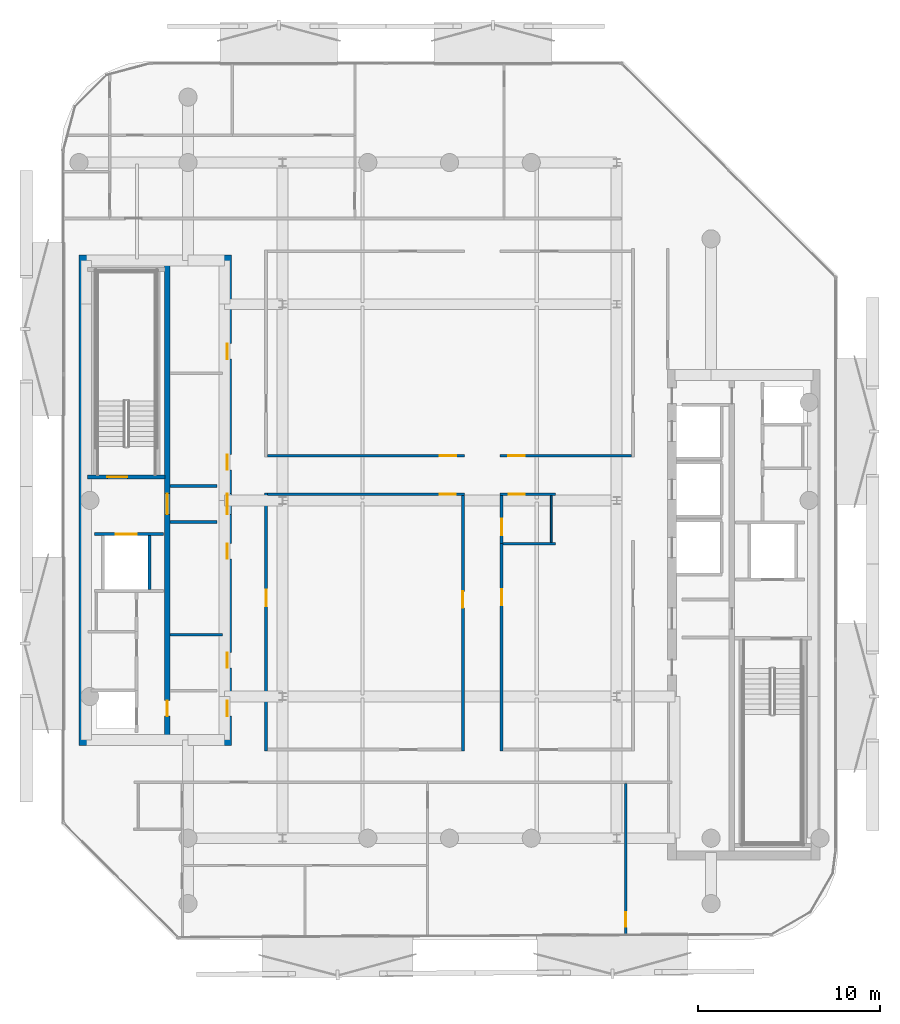
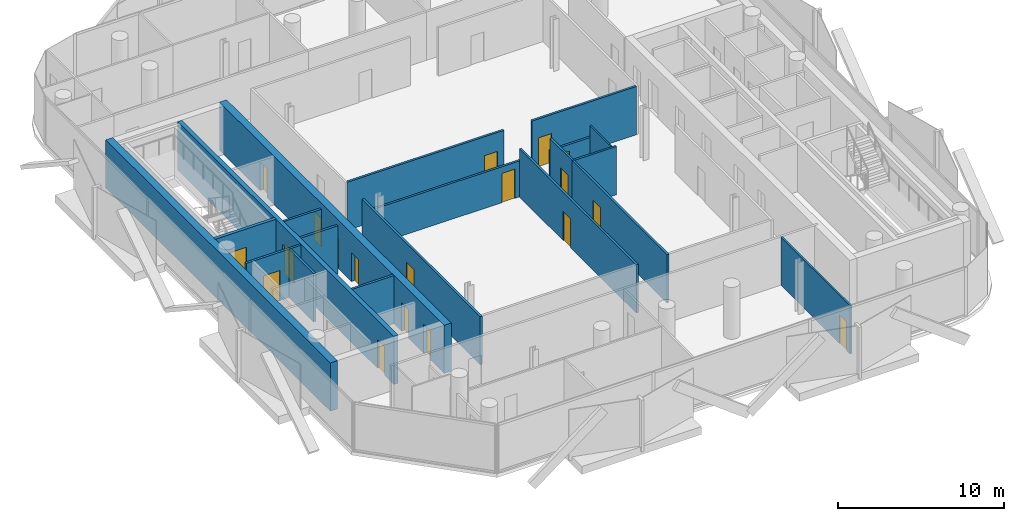
# One storey, part 5 of 15: 20 walls, 19 doors, 19 openings.
"""IFC4 building model written with IfcOpenShell, lengths in metres."""

from ifc_helpers import new_model, si_unit, direction, frame, frame_2d, origin, place, context, subcontext, project, spatial, rectangle, extrude, material, layer, layer_set, type_object, element, fill, save


model = new_model("IFC4")

# Units and contexts
model_context = context("Model", 3, precision=1e-05, world=origin(), true_north=direction((0.0, 1.0)))
body_context = subcontext(model_context, "Body", "Model", "MODEL_VIEW")
ifc_project = project(units=[si_unit("LENGTHUNIT", "METRE"), si_unit("AREAUNIT", "SQUARE_METRE"), si_unit("VOLUMEUNIT", "CUBIC_METRE"), si_unit("PLANEANGLEUNIT", "RADIAN"), si_unit("MASSUNIT", "GRAM", prefix="KILO")], contexts=[model_context])

# Site, building, storey
site_placement = place(None, origin())
site = spatial("IfcSite", under=ifc_project, at=site_placement, CompositionType="ELEMENT")
building_placement = place(site_placement, origin())
building = spatial("IfcBuilding", under=site, at=building_placement, Name="Khairoan Windgate Tower", CompositionType="ELEMENT")
storey_placement = place(building_placement, frame((0.0, 0.0, 289.0)))
storey = spatial("IfcBuildingStorey", under=building, at=storey_placement, Name="L69", CompositionType="ELEMENT", Elevation=289.0)

# Wall
ifc_material_1 = material(Name="Moisture-Resistant Gypsum Partition", Category="gypsum")
ifc_layer_1 = layer(ifc_material_1, 0.10009765625, Name="Moisture-Resistant Gypsum Partition")
ifc_layer_set_1 = layer_set([ifc_layer_1], Name="Moisture-Resistant Gypsum Partition")
wall_type_1 = type_object("IfcWallType", Name="Bathroom Wet-Area Partition Wall", PredefinedType="PARTITIONING", material=ifc_layer_set_1)
wall_1_placement = place(storey_placement, frame((5.60009765625, 0.260009765625, 0.0), z_axis=(0.0, 0.0, 1.0), x_axis=(0.0, -1.0, 0.0)))
element("IfcWall", 1, at=wall_1_placement, inside=storey, type_object=wall_type_1, Name="L69 Wet Room Side Wall 061", PredefinedType="PARTITIONING", context=body_context, shape_type="SweptSolid", body=[
    extrude(rectangle(XDim=2.570068359375, YDim=0.10009765625, at=frame_2d((1.28515625, 0.0))), origin(), (0.0, 0.0, 1.0), 3.5400390625),
])

# Wall, opening, door
ifc_material_2 = material(Name="Concrete C40/50", Category="concrete")
ifc_layer_2 = layer(ifc_material_2, 0.159912109375, Name="Concrete C40/50")
ifc_layer_set_2 = layer_set([ifc_layer_2], Name="Concrete C40/50")
wall_type_2 = type_object("IfcWallType", Name="Core and Hoistway Enclosure Wall", PredefinedType="STANDARD", material=ifc_layer_set_2)
wall_2_placement = place(storey_placement, frame((-19.550048828125, -1.860107421875, 0.0), z_axis=(0.0, 0.0, 1.0), x_axis=(1.0, 0.0, 0.0)))
wall_2 = element("IfcWall", 2, at=wall_2_placement, inside=storey, type_object=wall_type_2, Name="L69 Core Shaft Wall SW-FL2-L69", PredefinedType="STANDARD", context=body_context, shape_type="SweptSolid", body=[
    extrude(rectangle(XDim=3.800048828125, YDim=0.159912109375, at=frame_2d((1.89990234375, 0.0))), origin(), (0.0, 0.0, 1.0), 3.5400390625),
])
opening_1_placement = place(wall_2_placement, frame((1.179931640625, 0.0, 0.0)))
opening_1 = element("IfcOpeningElement", 3, at=opening_1_placement, cuts=wall_2, Name="Opening LD-FL", PredefinedType="OPENING", context=body_context, shape_type="SweptSolid", body=[
    extrude(rectangle(XDim=1.14990234375, YDim=2.199951171875, at=frame_2d((0.574951171875, 1.10009765625))), frame((0.0, 0.08984375, 0.0), z_axis=(0.0, -1.0, 0.0), x_axis=(1.0, 0.0, 0.0)), (0.0, 0.0, 1.0), 0.179931640625),
])
ifc_material_3 = material(Name="Steel S355", Category="steel")
door_type_1 = type_object("IfcDoorType", Name="Firefighting Lift Sliding Landing Door LD-FL 1150x2200", OperationType="DOUBLE_DOOR_SLIDING", PredefinedType="DOOR", material=ifc_material_3)
door_1_placement = place(opening_1_placement, origin())
door_1 = element("IfcDoor", 4, at=door_1_placement, inside=storey, type_object=door_type_1, Name="L69 Firefighting Lift FL2 Landing Door", OperationType="DOUBLE_DOOR_SLIDING", OverallHeight=2.199951171875, OverallWidth=1.14990234375, PredefinedType="DOOR", context=body_context, shape_type="SweptSolid", body=[
    extrude(rectangle(XDim=1.14990234375, YDim=2.199951171875, at=frame_2d((0.574951171875, 1.10009765625))), frame((0.0, 0.02490234375, 0.0), z_axis=(0.0, -1.0, 0.0), x_axis=(1.0, 0.0, 0.0)), (0.0, 0.0, 1.0), 0.050048828125),
])
fill(opening_1, door_1)

# Walls
wall_3_placement = place(storey_placement, frame((-16.52001953125, -4.89990234375, 0.0), z_axis=(0.0, 0.0, 1.0), x_axis=(0.0, 1.0, 0.0)))
element("IfcWall", 5, at=wall_3_placement, inside=storey, type_object=wall_type_2, Name="L69 Core Shaft Wall SW-FL2E-L69", PredefinedType="STANDARD", context=body_context, shape_type="SweptSolid", body=[
    extrude(rectangle(XDim=2.9599609375, YDim=0.159912109375, at=frame_2d((1.47998046875, 0.0))), origin(), (0.0, 0.0, 1.0), 3.5400390625),
])
for number, where, z_axis, x_axis, name in (
    (6, (-15.39990234375, 0.800048828125, 0.0), (0.0, 0.0, 1.0), (1.0, 0.0, 0.0), "L69 Core Shaft Wall SW-WV1-L69"),
    (7, (-15.39990234375, -1.199951171875, 0.0), (0.0, 0.0, 1.0), (1.0, 0.0, 0.0), "L69 Core Shaft Wall SW-WV2-L69"),
):
    element("IfcWall", number, at=place(storey_placement, frame(where, z_axis=z_axis, x_axis=x_axis)), inside=storey, type_object=wall_type_2, Name=name, PredefinedType="STANDARD", context=body_context, shape_type="SweptSolid", body=[
        extrude(rectangle(XDim=2.599853515625, YDim=0.159912109375, at=frame_2d((1.2998046875, 0.0))), origin(), (0.0, 0.0, 1.0), 3.5400390625),
    ])
ifc_material_4 = material(Name="Acoustic Fire-Rated Gypsum Partition", Category="gypsum")
ifc_layer_3 = layer(ifc_material_4, 0.139892578125, Name="Acoustic Fire-Rated Gypsum Partition")
ifc_layer_set_3 = layer_set([ifc_layer_3], Name="Acoustic Fire-Rated Gypsum Partition")
wall_type_3 = type_object("IfcWallType", Name="Inter-Tenancy Compartment Wall", PredefinedType="PARTITIONING", material=ifc_layer_set_3)
wall_4_placement = place(storey_placement, frame((2.93994140625, -2.3798828125, 0.0), z_axis=(0.0, 0.0, 1.0), x_axis=(1.0, 0.0, 0.0)))
element("IfcWall", 8, at=wall_4_placement, inside=storey, type_object=wall_type_3, Name="L69 Interior Partition 057", PredefinedType="PARTITIONING", context=body_context, shape_type="SweptSolid", body=[
    extrude(rectangle(XDim=2.900146484375, YDim=0.139892578125, at=frame_2d((1.4501953125, 0.0))), origin(), (0.0, 0.0, 1.0), 3.5400390625),
])

# Wall, opening, door
ifc_material_5 = material(Name="Gypsum Stud Partition", Category="gypsum")
ifc_layer_4 = layer(ifc_material_5, 0.1201171875, Name="Gypsum Stud Partition")
ifc_layer_set_4 = layer_set([ifc_layer_4], Name="Gypsum Stud Partition")
wall_type_4 = type_object("IfcWallType", Name="Internal Room Partition Wall", PredefinedType="PARTITIONING", material=ifc_layer_set_4)
wall_5_placement = place(storey_placement, frame((9.705078125, -23.931640625, 0.0), z_axis=(0.0, 0.0, 1.0), x_axis=(0.0, 1.0, 0.0)))
wall_5 = element("IfcWall", 9, at=wall_5_placement, inside=storey, type_object=wall_type_4, Name="L69 Interior Partition 054", PredefinedType="PARTITIONING", context=body_context, shape_type="SweptSolid", body=[
    extrude(rectangle(XDim=8.33154296875, YDim=0.1201171875, at=frame_2d((4.165771484375, 0.0))), origin(), (0.0, 0.0, 1.0), 3.5400390625),
])
opening_2_placement = place(wall_5_placement, frame((0.4599609375, 0.0, 0.0)))
opening_2 = element("IfcOpeningElement", 10, at=opening_2_placement, cuts=wall_5, Name="Opening ID-BTH", PredefinedType="OPENING", context=body_context, shape_type="SweptSolid", body=[
    extrude(rectangle(XDim=0.800048828125, YDim=2.10009765625, at=frame_2d((0.39990234375, 1.050048828125))), frame((0.0, 0.070068359375, 0.0), z_axis=(0.0, -1.0, 0.0), x_axis=(1.0, 0.0, 0.0)), (0.0, 0.0, 1.0), 0.14013671875),
])
ifc_material_6 = material(Name="Teak Veneer Timber Leaf", Category="wood")
door_type_2 = type_object("IfcDoorType", Name="Internal Bathroom Door ID-BTH 800x2100", OperationType="NOTDEFINED", PredefinedType="DOOR", material=ifc_material_6)
door_2_placement = place(opening_2_placement, origin())
door_2 = element("IfcDoor", 11, at=door_2_placement, inside=storey, type_object=door_type_2, Name="L69 L69-43-L69-44 Door", OperationType="SINGLE_SWING_RIGHT", OverallHeight=2.10009765625, OverallWidth=0.800048828125, PredefinedType="DOOR", context=body_context, shape_type="SweptSolid", body=[
    extrude(rectangle(XDim=0.800048828125, YDim=2.10009765625, at=frame_2d((0.39990234375, 1.050048828125))), frame((0.0, 0.02490234375, 0.0), z_axis=(0.0, -1.0, 0.0), x_axis=(1.0, 0.0, 0.0)), (0.0, 0.0, 1.0), 0.050048828125),
])
fill(opening_2, door_2)

# Wall
ifc_material_7 = material(Name="Concrete C40/50", Category="concrete")
ifc_layer_5 = layer(ifc_material_7, 0.159912109375, Name="Concrete C40/50")
ifc_layer_set_5 = layer_set([ifc_layer_5], Name="Concrete C40/50")
wall_type_5 = type_object("IfcWallType", Name="Plant and Refuge Compartment Wall", PredefinedType="PARTITIONING", material=ifc_layer_set_5)
wall_6_placement = place(storey_placement, frame((-15.39990234375, -7.39990234375, 0.0), z_axis=(0.0, 0.0, 1.0), x_axis=(1.0, 0.0, 0.0)))
element("IfcWall", 12, at=wall_6_placement, inside=storey, type_object=wall_type_5, Name="L69 Interior Partition 007", PredefinedType="PARTITIONING", context=body_context, shape_type="SweptSolid", body=[
    extrude(rectangle(XDim=2.89990234375, YDim=0.159912109375, at=frame_2d((1.449951171875, 0.0))), origin(), (0.0, 0.0, 1.0), 3.5400390625),
])

# Wall, opening, door
ifc_material_8 = material(Name="Acoustic Fire-Rated Gypsum Partition", Category="gypsum")
ifc_layer_6 = layer(ifc_material_8, 0.14990234375, Name="Acoustic Fire-Rated Gypsum Partition")
ifc_layer_set_6 = layer_set([ifc_layer_6], Name="Acoustic Fire-Rated Gypsum Partition")
wall_type_6 = type_object("IfcWallType", Name="Rated Corridor Partition Wall", PredefinedType="PARTITIONING", material=ifc_layer_set_6)
wall_7_placement = place(storey_placement, frame((-10.10009765625, -13.794921875, 0.0), z_axis=(0.0, 0.0, 1.0), x_axis=(0.0, 1.0, 0.0)))
wall_7 = element("IfcWall", 13, at=wall_7_placement, inside=storey, type_object=wall_type_6, Name="L69 Interior Partition 014", PredefinedType="PARTITIONING", context=body_context, shape_type="SweptSolid", body=[
    extrude(rectangle(XDim=14.204833984375, YDim=0.14990234375, at=frame_2d((7.1025390625, 0.0))), origin(), (0.0, 0.0, 1.0), 3.5400390625),
])
opening_3_placement = place(wall_7_placement, frame((7.97216796875, 0.0, 0.0)))
opening_3 = element("IfcOpeningElement", 14, at=opening_3_placement, cuts=wall_7, Name="Opening FD-ENT", PredefinedType="OPENING", context=body_context, shape_type="SweptSolid", body=[
    extrude(rectangle(XDim=0.89990234375, YDim=2.14990234375, at=frame_2d((0.449951171875, 1.074951171875))), frame((0.0, 0.0849609375, 0.0), z_axis=(0.0, -1.0, 0.0), x_axis=(1.0, 0.0, 0.0)), (0.0, 0.0, 1.0), 0.169921875),
])
ifc_material_9 = material(Name="Timber Fire-Rated Core", Category="wood")
door_type_3 = type_object("IfcDoorType", Name="Unit and Office Fire Entrance Door FD-ENT 900x2150", OperationType="NOTDEFINED", PredefinedType="DOOR", material=ifc_material_9)
door_3_placement = place(opening_3_placement, origin())
door_3 = element("IfcDoor", 15, at=door_3_placement, inside=storey, type_object=door_type_3, Name="L69 L69-27-L69-49 Door", OperationType="SINGLE_SWING_RIGHT", OverallHeight=2.14990234375, OverallWidth=0.89990234375, PredefinedType="DOOR", context=body_context, shape_type="SweptSolid", body=[
    extrude(rectangle(XDim=0.89990234375, YDim=2.14990234375, at=frame_2d((0.449951171875, 1.074951171875))), frame((0.0, 0.02490234375, 0.0), z_axis=(0.0, -1.0, 0.0), x_axis=(1.0, 0.0, 0.0)), (0.0, 0.0, 1.0), 0.050048828125),
])
fill(opening_3, door_3)

wall_8_placement = place(storey_placement, frame((-10.02490234375, 2.465087890625, 0.0), z_axis=(0.0, 0.0, 1.0), x_axis=(1.0, 0.0, 0.0)))
wall_8 = element("IfcWall", 16, at=wall_8_placement, inside=storey, type_object=wall_type_6, Name="L69 Interior Partition 018", PredefinedType="PARTITIONING", context=body_context, shape_type="SweptSolid", body=[
    extrude(rectangle(XDim=10.85498046875, YDim=0.14990234375, at=frame_2d((5.427490234375, 0.0))), origin(), (0.0, 0.0, 1.0), 3.5400390625),
])
opening_4_placement = place(wall_8_placement, frame((9.4951171875, 0.0, 0.0)))
opening_4 = element("IfcOpeningElement", 17, at=opening_4_placement, cuts=wall_8, Name="Opening FD-ENT", PredefinedType="OPENING", context=body_context, shape_type="SweptSolid", body=[
    extrude(rectangle(XDim=0.89990234375, YDim=2.14990234375, at=frame_2d((0.449951171875, 1.074951171875))), frame((0.0, 0.0849609375, 0.0), z_axis=(0.0, -1.0, 0.0), x_axis=(1.0, 0.0, 0.0)), (0.0, 0.0, 1.0), 0.169921875),
])
door_4_placement = place(opening_4_placement, origin())
door_4 = element("IfcDoor", 18, at=door_4_placement, inside=storey, type_object=door_type_3, Name="L69 L69-29-L69-48 Door", OperationType="SINGLE_SWING_RIGHT", OverallHeight=2.14990234375, OverallWidth=0.89990234375, PredefinedType="DOOR", context=body_context, shape_type="SweptSolid", body=[
    extrude(rectangle(XDim=0.89990234375, YDim=2.14990234375, at=frame_2d((0.449951171875, 1.074951171875))), frame((0.0, 0.02490234375, 0.0), z_axis=(0.0, -1.0, 0.0), x_axis=(1.0, 0.0, 0.0)), (0.0, 0.0, 1.0), 0.050048828125),
])
fill(opening_4, door_4)

wall_9_placement = place(storey_placement, frame((-10.02490234375, 0.3349609375, 0.0), z_axis=(0.0, 0.0, 1.0), x_axis=(1.0, 0.0, 0.0)))
wall_9 = element("IfcWall", 19, at=wall_9_placement, inside=storey, type_object=wall_type_6, Name="L69 Interior Partition 019", PredefinedType="PARTITIONING", context=body_context, shape_type="SweptSolid", body=[
    extrude(rectangle(XDim=10.8349609375, YDim=0.14990234375, at=frame_2d((5.41748046875, 0.0))), origin(), (0.0, 0.0, 1.0), 2.639892578125),
])
opening_5_placement = place(wall_9_placement, frame((9.47509765625, 0.0, 0.0)))
opening_5 = element("IfcOpeningElement", 20, at=opening_5_placement, cuts=wall_9, Name="Opening FD-ENT", PredefinedType="OPENING", context=body_context, shape_type="SweptSolid", body=[
    extrude(rectangle(XDim=0.89990234375, YDim=2.14990234375, at=frame_2d((0.449951171875, 1.074951171875))), frame((0.0, 0.0849609375, 0.0), z_axis=(0.0, -1.0, 0.0), x_axis=(1.0, 0.0, 0.0)), (0.0, 0.0, 1.0), 0.169921875),
])
door_5_placement = place(opening_5_placement, origin())
door_5 = element("IfcDoor", 21, at=door_5_placement, inside=storey, type_object=door_type_3, Name="L69 L69-29-L69-49 Door", OperationType="SINGLE_SWING_LEFT", OverallHeight=2.14990234375, OverallWidth=0.89990234375, PredefinedType="DOOR", context=body_context, shape_type="SweptSolid", body=[
    extrude(rectangle(XDim=0.89990234375, YDim=2.14990234375, at=frame_2d((0.449951171875, 1.074951171875))), frame((0.0, 0.02490234375, 0.0), z_axis=(0.0, -1.0, 0.0), x_axis=(1.0, 0.0, 0.0)), (0.0, 0.0, 1.0), 0.050048828125),
])
fill(opening_5, door_5)

wall_10_placement = place(storey_placement, frame((2.77001953125, 2.465087890625, 0.0), z_axis=(0.0, 0.0, 1.0), x_axis=(1.0, 0.0, 0.0)))
wall_10 = element("IfcWall", 22, at=wall_10_placement, inside=storey, type_object=wall_type_6, Name="L69 Interior Partition 020", PredefinedType="PARTITIONING", context=body_context, shape_type="SweptSolid", body=[
    extrude(rectangle(XDim=7.2548828125, YDim=0.14990234375, at=frame_2d((3.62744140625, 0.0))), origin(), (0.0, 0.0, 1.0), 3.5400390625),
])
opening_6_placement = place(wall_10_placement, frame((0.4599609375, 0.0, 0.0)))
opening_6 = element("IfcOpeningElement", 23, at=opening_6_placement, cuts=wall_10, Name="Opening FD-ENT", PredefinedType="OPENING", context=body_context, shape_type="SweptSolid", body=[
    extrude(rectangle(XDim=0.89990234375, YDim=2.14990234375, at=frame_2d((0.449951171875, 1.074951171875))), frame((0.0, 0.0849609375, 0.0), z_axis=(0.0, -1.0, 0.0), x_axis=(1.0, 0.0, 0.0)), (0.0, 0.0, 1.0), 0.169921875),
])
door_6_placement = place(opening_6_placement, origin())
door_6 = element("IfcDoor", 24, at=door_6_placement, inside=storey, type_object=door_type_3, Name="L69 L69-29-L69-50 Door", OperationType="SINGLE_SWING_RIGHT", OverallHeight=2.14990234375, OverallWidth=0.89990234375, PredefinedType="DOOR", context=body_context, shape_type="SweptSolid", body=[
    extrude(rectangle(XDim=0.89990234375, YDim=2.14990234375, at=frame_2d((0.449951171875, 1.074951171875))), frame((0.0, 0.02490234375, 0.0), z_axis=(0.0, -1.0, 0.0), x_axis=(1.0, 0.0, 0.0)), (0.0, 0.0, 1.0), 0.050048828125),
])
fill(opening_6, door_6)

wall_11_placement = place(storey_placement, frame((2.7900390625, 0.3349609375, 0.0), z_axis=(0.0, 0.0, 1.0), x_axis=(1.0, 0.0, 0.0)))
wall_11 = element("IfcWall", 25, at=wall_11_placement, inside=storey, type_object=wall_type_6, Name="L69 Interior Partition 021", PredefinedType="PARTITIONING", context=body_context, shape_type="SweptSolid", body=[
    extrude(rectangle(XDim=3.050048828125, YDim=0.14990234375, at=frame_2d((1.52490234375, 0.0))), origin(), (0.0, 0.0, 1.0), 2.639892578125),
])
opening_7_placement = place(wall_11_placement, frame((0.4599609375, 0.0, 0.0)))
opening_7 = element("IfcOpeningElement", 26, at=opening_7_placement, cuts=wall_11, Name="Opening FD-ENT", PredefinedType="OPENING", context=body_context, shape_type="SweptSolid", body=[
    extrude(rectangle(XDim=0.89990234375, YDim=2.14990234375, at=frame_2d((0.449951171875, 1.074951171875))), frame((0.0, 0.0849609375, 0.0), z_axis=(0.0, -1.0, 0.0), x_axis=(1.0, 0.0, 0.0)), (0.0, 0.0, 1.0), 0.169921875),
])
door_7_placement = place(opening_7_placement, origin())
door_7 = element("IfcDoor", 27, at=door_7_placement, inside=storey, type_object=door_type_3, Name="L69 L69-29-L69-51 Door", OperationType="SINGLE_SWING_LEFT", OverallHeight=2.14990234375, OverallWidth=0.89990234375, PredefinedType="DOOR", context=body_context, shape_type="SweptSolid", body=[
    extrude(rectangle(XDim=0.89990234375, YDim=2.14990234375, at=frame_2d((0.449951171875, 1.074951171875))), frame((0.0, 0.02490234375, 0.0), z_axis=(0.0, -1.0, 0.0), x_axis=(1.0, 0.0, 0.0)), (0.0, 0.0, 1.0), 0.050048828125),
])
fill(opening_7, door_7)

wall_12_placement = place(storey_placement, frame((0.735107421875, -13.794921875, 0.0), z_axis=(0.0, 0.0, 1.0), x_axis=(0.0, 1.0, 0.0)))
wall_12 = element("IfcWall", 28, at=wall_12_placement, inside=storey, type_object=wall_type_6, Name="L69 Interior Partition 022", PredefinedType="PARTITIONING", context=body_context, shape_type="SweptSolid", body=[
    extrude(rectangle(XDim=14.054931640625, YDim=0.14990234375, at=frame_2d((7.02734375, 0.0))), origin(), (0.0, 0.0, 1.0), 3.5400390625),
])
opening_8_placement = place(wall_12_placement, frame((7.881103515625, 0.0, 0.0)))
opening_8 = element("IfcOpeningElement", 29, at=opening_8_placement, cuts=wall_12, Name="Opening FD-ENT", PredefinedType="OPENING", context=body_context, shape_type="SweptSolid", body=[
    extrude(rectangle(XDim=0.89990234375, YDim=2.14990234375, at=frame_2d((0.449951171875, 1.074951171875))), frame((0.0, 0.0849609375, 0.0), z_axis=(0.0, -1.0, 0.0), x_axis=(1.0, 0.0, 0.0)), (0.0, 0.0, 1.0), 0.169921875),
])
door_8_placement = place(opening_8_placement, origin())
door_8 = element("IfcDoor", 30, at=door_8_placement, inside=storey, type_object=door_type_3, Name="L69 L69-30-L69-49 Door", OperationType="SINGLE_SWING_RIGHT", OverallHeight=2.14990234375, OverallWidth=0.89990234375, PredefinedType="DOOR", context=body_context, shape_type="SweptSolid", body=[
    extrude(rectangle(XDim=0.89990234375, YDim=2.14990234375, at=frame_2d((0.449951171875, 1.074951171875))), frame((0.0, 0.02490234375, 0.0), z_axis=(0.0, -1.0, 0.0), x_axis=(1.0, 0.0, 0.0)), (0.0, 0.0, 1.0), 0.050048828125),
])
fill(opening_8, door_8)

wall_13_placement = place(storey_placement, frame((2.864990234375, -2.3798828125, 0.0), z_axis=(0.0, 0.0, 1.0), x_axis=(0.0, 1.0, 0.0)))
wall_13 = element("IfcWall", 31, at=wall_13_placement, inside=storey, type_object=wall_type_6, Name="L69 Interior Partition 023", PredefinedType="PARTITIONING", context=body_context, shape_type="SweptSolid", body=[
    extrude(rectangle(XDim=2.639892578125, YDim=0.14990234375, at=frame_2d((1.31982421875, 0.0))), origin(), (0.0, 0.0, 1.0), 3.5400390625),
])
opening_9_placement = place(wall_13_placement, frame((0.4599609375, 0.0, 0.0)))
opening_9 = element("IfcOpeningElement", 32, at=opening_9_placement, cuts=wall_13, Name="Opening FD-ENT", PredefinedType="OPENING", context=body_context, shape_type="SweptSolid", body=[
    extrude(rectangle(XDim=0.89990234375, YDim=2.14990234375, at=frame_2d((0.449951171875, 1.074951171875))), frame((0.0, 0.0849609375, 0.0), z_axis=(0.0, -1.0, 0.0), x_axis=(1.0, 0.0, 0.0)), (0.0, 0.0, 1.0), 0.169921875),
])
door_9_placement = place(opening_9_placement, origin())
door_9 = element("IfcDoor", 33, at=door_9_placement, inside=storey, type_object=door_type_3, Name="L69 L69-30-L69-51 Door", OperationType="SINGLE_SWING_LEFT", OverallHeight=2.14990234375, OverallWidth=0.89990234375, PredefinedType="DOOR", context=body_context, shape_type="SweptSolid", body=[
    extrude(rectangle(XDim=0.89990234375, YDim=2.14990234375, at=frame_2d((0.449951171875, 1.074951171875))), frame((0.0, 0.02490234375, 0.0), z_axis=(0.0, -1.0, 0.0), x_axis=(1.0, 0.0, 0.0)), (0.0, 0.0, 1.0), 0.050048828125),
])
fill(opening_9, door_9)

wall_14_placement = place(storey_placement, frame((2.864990234375, -13.794921875, 0.0), z_axis=(0.0, 0.0, 1.0), x_axis=(0.0, 1.0, 0.0)))
wall_14 = element("IfcWall", 34, at=wall_14_placement, inside=storey, type_object=wall_type_6, Name="L69 Interior Partition 024", PredefinedType="PARTITIONING", context=body_context, shape_type="SweptSolid", body=[
    extrude(rectangle(XDim=11.4150390625, YDim=0.14990234375, at=frame_2d((5.70751953125, 0.0))), origin(), (0.0, 0.0, 1.0), 3.5400390625),
])
opening_10_placement = place(wall_14_placement, frame((8.013427734375, 0.0, 0.0)))
opening_10 = element("IfcOpeningElement", 35, at=opening_10_placement, cuts=wall_14, Name="Opening FD-ENT", PredefinedType="OPENING", context=body_context, shape_type="SweptSolid", body=[
    extrude(rectangle(XDim=0.89990234375, YDim=2.14990234375, at=frame_2d((0.449951171875, 1.074951171875))), frame((0.0, 0.0849609375, 0.0), z_axis=(0.0, -1.0, 0.0), x_axis=(1.0, 0.0, 0.0)), (0.0, 0.0, 1.0), 0.169921875),
])
door_10_placement = place(opening_10_placement, origin())
door_10 = element("IfcDoor", 36, at=door_10_placement, inside=storey, type_object=door_type_3, Name="L69 L69-30-L69-52 Door", OperationType="SINGLE_SWING_RIGHT", OverallHeight=2.14990234375, OverallWidth=0.89990234375, PredefinedType="DOOR", context=body_context, shape_type="SweptSolid", body=[
    extrude(rectangle(XDim=0.89990234375, YDim=2.14990234375, at=frame_2d((0.449951171875, 1.074951171875))), frame((0.0, 0.02490234375, 0.0), z_axis=(0.0, -1.0, 0.0), x_axis=(1.0, 0.0, 0.0)), (0.0, 0.0, 1.0), 0.050048828125),
])
fill(opening_10, door_10)

# Wall
ifc_material_10 = material(Name="Concrete C50/60", Category="concrete")
ifc_layer_7 = layer(ifc_material_10, 0.5, Name="Concrete C50/60")
ifc_layer_set_7 = layer_set([ifc_layer_7], Name="Concrete C50/60")
wall_type_7 = type_object("IfcWallType", Name="Shear Wall CW-W3 500mm", PredefinedType="SHEAR", material=ifc_layer_set_7)
wall_15_placement = place(storey_placement, frame((-20.14990234375, -13.5, 0.0), z_axis=(0.0, 0.0, 1.0), x_axis=(0.0, 1.0, 0.0)))
element("IfcWall", 37, at=wall_15_placement, inside=storey, type_object=wall_type_7, Name="W Core West Shear Wall L69", PredefinedType="SHEAR", context=body_context, shape_type="SweptSolid", body=[
    extrude(rectangle(XDim=27.0, YDim=0.5, at=frame_2d((13.5, 0.0))), origin(), (0.0, 0.0, 1.0), 3.5400390625),
])

# Wall, openings, doors
wall_16_placement = place(storey_placement, frame((-12.25, -13.5, 0.0), z_axis=(0.0, 0.0, 1.0), x_axis=(0.0, 1.0, 0.0)))
wall_16 = element("IfcWall", 38, at=wall_16_placement, inside=storey, type_object=wall_type_7, Name="W Core East Shear Wall L69", PredefinedType="SHEAR", context=body_context, shape_type="SweptSolid", body=[
    extrude(rectangle(XDim=27.0, YDim=0.5, at=frame_2d((13.5, 0.0))), origin(), (0.0, 0.0, 1.0), 3.5400390625),
])
opening_11_placement = place(wall_16_placement, frame((15.175048828125, 0.0, 0.0)))
opening_11 = element("IfcOpeningElement", 39, at=opening_11_placement, cuts=wall_16, Name="Opening FD-SRV", PredefinedType="OPENING", context=body_context, shape_type="SweptSolid", body=[
    extrude(rectangle(XDim=0.85009765625, YDim=2.10009765625, at=frame_2d((0.425048828125, 1.050048828125))), frame((0.0, 0.260009765625, 0.0), z_axis=(0.0, -1.0, 0.0), x_axis=(1.0, 0.0, 0.0)), (0.0, 0.0, 1.0), 0.52001953125),
])
opening_12_placement = place(wall_16_placement, frame((21.27490234375, 0.0, 0.0)))
opening_12 = element("IfcOpeningElement", 40, at=opening_12_placement, cuts=wall_16, Name="Opening FD-SRV", PredefinedType="OPENING", context=body_context, shape_type="SweptSolid", body=[
    extrude(rectangle(XDim=0.85009765625, YDim=2.10009765625, at=frame_2d((0.425048828125, 1.050048828125))), frame((0.0, 0.260009765625, 0.0), z_axis=(0.0, -1.0, 0.0), x_axis=(1.0, 0.0, 0.0)), (0.0, 0.0, 1.0), 0.52001953125),
])
opening_13_placement = place(wall_16_placement, frame((4.27490234375, 0.0, 0.0)))
opening_13 = element("IfcOpeningElement", 41, at=opening_13_placement, cuts=wall_16, Name="Opening FD-SRV", PredefinedType="OPENING", context=body_context, shape_type="SweptSolid", body=[
    extrude(rectangle(XDim=0.85009765625, YDim=2.10009765625, at=frame_2d((0.425048828125, 1.050048828125))), frame((0.0, 0.260009765625, 0.0), z_axis=(0.0, -1.0, 0.0), x_axis=(1.0, 0.0, 0.0)), (0.0, 0.0, 1.0), 0.52001953125),
])
opening_14_placement = place(wall_16_placement, frame((10.27490234375, 0.0, 0.0)))
opening_14 = element("IfcOpeningElement", 42, at=opening_14_placement, cuts=wall_16, Name="Opening FD-SRV", PredefinedType="OPENING", context=body_context, shape_type="SweptSolid", body=[
    extrude(rectangle(XDim=0.85009765625, YDim=2.10009765625, at=frame_2d((0.425048828125, 1.050048828125))), frame((0.0, 0.260009765625, 0.0), z_axis=(0.0, -1.0, 0.0), x_axis=(1.0, 0.0, 0.0)), (0.0, 0.0, 1.0), 0.52001953125),
])
opening_15_placement = place(wall_16_placement, frame((12.72509765625, 0.0, 0.0)))
opening_15 = element("IfcOpeningElement", 43, at=opening_15_placement, cuts=wall_16, Name="Opening FD-FFL", PredefinedType="OPENING", context=body_context, shape_type="SweptSolid", body=[
    extrude(rectangle(XDim=1.14990234375, YDim=2.199951171875, at=frame_2d((0.574951171875, 1.10009765625))), frame((0.0, 0.260009765625, 0.0), z_axis=(0.0, -1.0, 0.0), x_axis=(1.0, 0.0, 0.0)), (0.0, 0.0, 1.0), 0.52001953125),
])
opening_16_placement = place(wall_16_placement, frame((1.625, 0.0, 0.0)))
opening_16 = element("IfcOpeningElement", 44, at=opening_16_placement, cuts=wall_16, Name="Opening FD-SRV", PredefinedType="OPENING", context=body_context, shape_type="SweptSolid", body=[
    extrude(rectangle(XDim=0.85009765625, YDim=2.10009765625, at=frame_2d((0.425048828125, 1.050048828125))), frame((0.0, 0.260009765625, 0.0), z_axis=(0.0, -1.0, 0.0), x_axis=(1.0, 0.0, 0.0)), (0.0, 0.0, 1.0), 0.52001953125),
])
ifc_material_11 = material(Name="Steel S355", Category="steel")
door_type_4 = type_object("IfcDoorType", Name="Core Service and Riser Fire Door FD-SRV 850x2100", OperationType="NOTDEFINED", PredefinedType="DOOR", material=ifc_material_11)
door_11_placement = place(opening_11_placement, origin())
door_11 = element("IfcDoor", 45, at=door_11_placement, inside=storey, type_object=door_type_4, Name="L69 Upper Core Room Door B1-1", OperationType="SINGLE_SWING_RIGHT", OverallHeight=2.10009765625, OverallWidth=0.85009765625, PredefinedType="DOOR", context=body_context, shape_type="SweptSolid", body=[
    extrude(rectangle(XDim=0.85009765625, YDim=2.10009765625, at=frame_2d((0.425048828125, 1.050048828125))), frame((0.0, 0.02490234375, 0.0), z_axis=(0.0, -1.0, 0.0), x_axis=(1.0, 0.0, 0.0)), (0.0, 0.0, 1.0), 0.050048828125),
])
fill(opening_11, door_11)
door_12_placement = place(opening_12_placement, origin())
door_12 = element("IfcDoor", 46, at=door_12_placement, inside=storey, type_object=door_type_4, Name="L69 Upper Core Room Door B1-2", OperationType="SINGLE_SWING_LEFT", OverallHeight=2.10009765625, OverallWidth=0.85009765625, PredefinedType="DOOR", context=body_context, shape_type="SweptSolid", body=[
    extrude(rectangle(XDim=0.85009765625, YDim=2.10009765625, at=frame_2d((0.425048828125, 1.050048828125))), frame((0.0, 0.02490234375, 0.0), z_axis=(0.0, -1.0, 0.0), x_axis=(1.0, 0.0, 0.0)), (0.0, 0.0, 1.0), 0.050048828125),
])
fill(opening_12, door_12)
door_13_placement = place(opening_13_placement, origin())
door_13 = element("IfcDoor", 47, at=door_13_placement, inside=storey, type_object=door_type_4, Name="L69 Upper Core Room Door B2-1", OperationType="SINGLE_SWING_RIGHT", OverallHeight=2.10009765625, OverallWidth=0.85009765625, PredefinedType="DOOR", context=body_context, shape_type="SweptSolid", body=[
    extrude(rectangle(XDim=0.85009765625, YDim=2.10009765625, at=frame_2d((0.425048828125, 1.050048828125))), frame((0.0, 0.02490234375, 0.0), z_axis=(0.0, -1.0, 0.0), x_axis=(1.0, 0.0, 0.0)), (0.0, 0.0, 1.0), 0.050048828125),
])
fill(opening_13, door_13)
door_14_placement = place(opening_14_placement, origin())
door_14 = element("IfcDoor", 48, at=door_14_placement, inside=storey, type_object=door_type_4, Name="L69 Upper Core Room Door B2-2", OperationType="SINGLE_SWING_LEFT", OverallHeight=2.10009765625, OverallWidth=0.85009765625, PredefinedType="DOOR", context=body_context, shape_type="SweptSolid", body=[
    extrude(rectangle(XDim=0.85009765625, YDim=2.10009765625, at=frame_2d((0.425048828125, 1.050048828125))), frame((0.0, 0.02490234375, 0.0), z_axis=(0.0, -1.0, 0.0), x_axis=(1.0, 0.0, 0.0)), (0.0, 0.0, 1.0), 0.050048828125),
])
fill(opening_14, door_14)
door_15_placement = place(opening_16_placement, origin())
door_15 = element("IfcDoor", 49, at=door_15_placement, inside=storey, type_object=door_type_4, Name="L69 West Core Service Vestibule Outer Door", OperationType="SINGLE_SWING_LEFT", OverallHeight=2.10009765625, OverallWidth=0.85009765625, PredefinedType="DOOR", context=body_context, shape_type="SweptSolid", body=[
    extrude(rectangle(XDim=0.85009765625, YDim=2.10009765625, at=frame_2d((0.425048828125, 1.050048828125))), frame((0.0, 0.02490234375, 0.0), z_axis=(0.0, -1.0, 0.0), x_axis=(1.0, 0.0, 0.0)), (0.0, 0.0, 1.0), 0.050048828125),
])
fill(opening_16, door_15)
ifc_material_12 = material(Name="Steel S355", Category="steel")
door_type_5 = type_object("IfcDoorType", Name="Firefighting Lobby Fire Door FD-FFL 1150x2200", OperationType="NOTDEFINED", PredefinedType="DOOR", material=ifc_material_12)
door_16_placement = place(opening_15_placement, origin())
door_16 = element("IfcDoor", 50, at=door_16_placement, inside=storey, type_object=door_type_5, Name="L69 West Core Vestibule Entry Door", OperationType="SINGLE_SWING_LEFT", OverallHeight=2.199951171875, OverallWidth=1.14990234375, PredefinedType="DOOR", context=body_context, shape_type="SweptSolid", body=[
    extrude(rectangle(XDim=1.14990234375, YDim=2.199951171875, at=frame_2d((0.574951171875, 1.10009765625))), frame((0.0, 0.02490234375, 0.0), z_axis=(0.0, -1.0, 0.0), x_axis=(1.0, 0.0, 0.0)), (0.0, 0.0, 1.0), 0.050048828125),
])
fill(opening_15, door_16)

ifc_material_13 = material(Name="Concrete C50/60", Category="concrete")
ifc_layer_8 = layer(ifc_material_13, 0.300048828125, Name="Concrete C50/60")
ifc_layer_set_8 = layer_set([ifc_layer_8], Name="Concrete C50/60")
wall_type_8 = type_object("IfcWallType", Name="Shear Wall SW-2 300mm", PredefinedType="SHEAR", material=ifc_layer_set_8)
wall_17_placement = place(storey_placement, frame((-15.550048828125, -13.0, 0.0), z_axis=(0.0, 0.0, 1.0), x_axis=(0.0, 1.0, 0.0)))
wall_17 = element("IfcWall", 51, at=wall_17_placement, inside=storey, type_object=wall_type_8, Name="W Core Spine Shear Wall L69", PredefinedType="SHEAR", context=body_context, shape_type="SweptSolid", body=[
    extrude(rectangle(XDim=26.0, YDim=0.300048828125, at=frame_2d((13.0, 0.0))), origin(), (0.0, 0.0, 1.0), 3.5400390625),
])
opening_17_placement = place(wall_17_placement, frame((12.22509765625, 0.0, 0.0)))
opening_17 = element("IfcOpeningElement", 52, at=opening_17_placement, cuts=wall_17, Name="Opening FD-FFL", PredefinedType="OPENING", context=body_context, shape_type="SweptSolid", body=[
    extrude(rectangle(XDim=1.14990234375, YDim=2.199951171875, at=frame_2d((0.574951171875, 1.10009765625))), frame((0.0, 0.159912109375, 0.0), z_axis=(0.0, -1.0, 0.0), x_axis=(1.0, 0.0, 0.0)), (0.0, 0.0, 1.0), 0.320068359375),
])
opening_18_placement = place(wall_17_placement, frame((1.125, 0.0, 0.0)))
opening_18 = element("IfcOpeningElement", 53, at=opening_18_placement, cuts=wall_17, Name="Opening FD-SRV", PredefinedType="OPENING", context=body_context, shape_type="SweptSolid", body=[
    extrude(rectangle(XDim=0.85009765625, YDim=2.10009765625, at=frame_2d((0.425048828125, 1.050048828125))), frame((0.0, 0.159912109375, 0.0), z_axis=(0.0, -1.0, 0.0), x_axis=(1.0, 0.0, 0.0)), (0.0, 0.0, 1.0), 0.320068359375),
])
door_17_placement = place(opening_18_placement, origin())
door_17 = element("IfcDoor", 54, at=door_17_placement, inside=storey, type_object=door_type_4, Name="L69 West Core Service Passage Inner Door", OperationType="SINGLE_SWING_RIGHT", OverallHeight=2.10009765625, OverallWidth=0.85009765625, PredefinedType="DOOR", context=body_context, shape_type="SweptSolid", body=[
    extrude(rectangle(XDim=0.85009765625, YDim=2.10009765625, at=frame_2d((0.425048828125, 1.050048828125))), frame((0.0, 0.02490234375, 0.0), z_axis=(0.0, -1.0, 0.0), x_axis=(1.0, 0.0, 0.0)), (0.0, 0.0, 1.0), 0.050048828125),
])
fill(opening_18, door_17)
door_18_placement = place(opening_17_placement, origin())
door_18 = element("IfcDoor", 55, at=door_18_placement, inside=storey, type_object=door_type_5, Name="L69 West Firefighting Lobby Fire Door", OperationType="SINGLE_SWING_RIGHT", OverallHeight=2.199951171875, OverallWidth=1.14990234375, PredefinedType="DOOR", context=body_context, shape_type="SweptSolid", body=[
    extrude(rectangle(XDim=1.14990234375, YDim=2.199951171875, at=frame_2d((0.574951171875, 1.10009765625))), frame((0.0, 0.02490234375, 0.0), z_axis=(0.0, -1.0, 0.0), x_axis=(1.0, 0.0, 0.0)), (0.0, 0.0, 1.0), 0.050048828125),
])
fill(opening_17, door_18)

# Wall, opening, door
ifc_material_14 = material(Name="Concrete C50/60", Category="concrete")
ifc_layer_9 = layer(ifc_material_14, 0.219970703125, Name="Concrete C50/60")
ifc_layer_set_9 = layer_set([ifc_layer_9], Name="Concrete C50/60")
wall_type_9 = type_object("IfcWallType", Name="Shear Wall SW-ST 220mm", PredefinedType="SHEAR", material=ifc_layer_set_9)
wall_18_placement = place(storey_placement, frame((-19.919921875, 1.2900390625, 0.0), z_axis=(0.0, 0.0, 1.0), x_axis=(1.0, 0.0, 0.0)))
wall_18 = element("IfcWall", 56, at=wall_18_placement, inside=storey, type_object=wall_type_9, Name="L69 Stair ST2 South Bearing Wall", PredefinedType="SHEAR", context=body_context, shape_type="SweptSolid", body=[
    extrude(rectangle(XDim=4.239990234375, YDim=0.219970703125, at=frame_2d((2.1201171875, 0.0))), origin(), (0.0, 0.0, 1.0), 3.5400390625),
])
opening_19_placement = place(wall_18_placement, frame((1.080078125, 0.0, 0.0)))
opening_19 = element("IfcOpeningElement", 57, at=opening_19_placement, cuts=wall_18, Name="Opening FD-ST", PredefinedType="OPENING", context=body_context, shape_type="SweptSolid", body=[
    extrude(rectangle(XDim=1.10009765625, YDim=2.199951171875, at=frame_2d((0.550048828125, 1.10009765625))), frame((0.0, 0.119873046875, 0.0), z_axis=(0.0, -1.0, 0.0), x_axis=(1.0, 0.0, 0.0)), (0.0, 0.0, 1.0), 0.239990234375),
])
ifc_material_15 = material(Name="Steel S355", Category="steel")
door_type_6 = type_object("IfcDoorType", Name="Smokeproof Stair Fire Door FD-ST 1100x2200", OperationType="NOTDEFINED", PredefinedType="DOOR", material=ifc_material_15)
door_19_placement = place(opening_19_placement, origin())
door_19 = element("IfcDoor", 58, at=door_19_placement, inside=storey, type_object=door_type_6, Name="L69 Stair ST2 Fire Door", OperationType="SINGLE_SWING_LEFT", OverallHeight=2.199951171875, OverallWidth=1.10009765625, PredefinedType="DOOR", context=body_context, shape_type="SweptSolid", body=[
    extrude(rectangle(XDim=1.10009765625, YDim=2.199951171875, at=frame_2d((0.550048828125, 1.10009765625))), frame((0.0, 0.02490234375, 0.0), z_axis=(0.0, -1.0, 0.0), x_axis=(1.0, 0.0, 0.0)), (0.0, 0.0, 1.0), 0.050048828125),
])
fill(opening_19, door_19)

save(model, "model.ifc")
